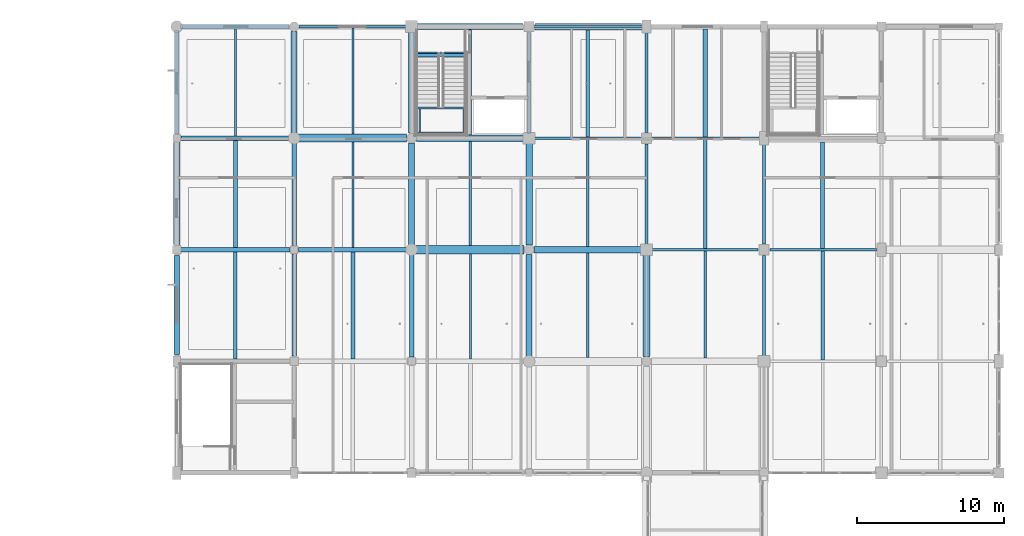
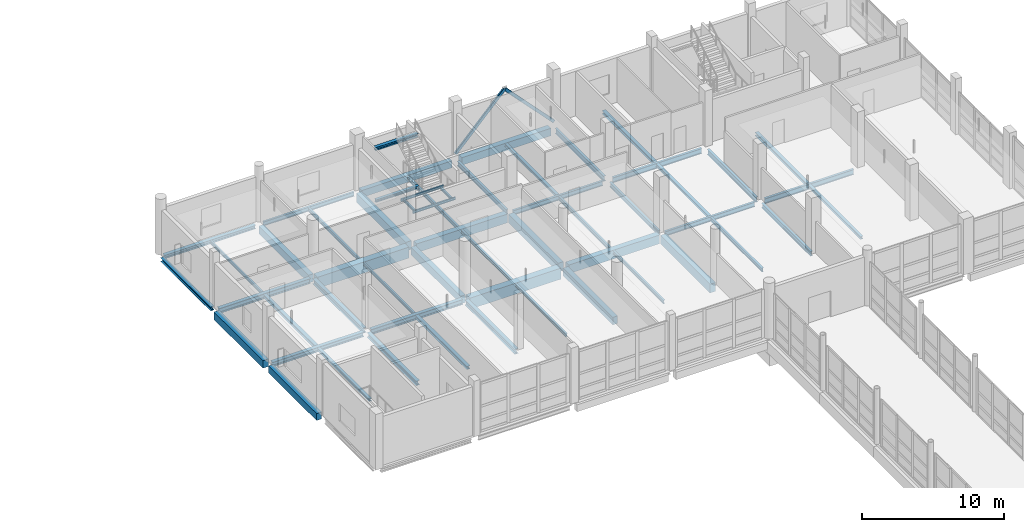
# One storey, part 62 of 147: 55 beams, 2 members.
"""IFC4 building model written with IfcOpenShell, lengths in metres."""

from ifc_helpers import new_model, si_unit, direction, frame, origin, origin_2d, place, context, subcontext, project, spatial, rectangle, hollow_rectangle, i_section, extrude, material, material_profile, profile_set, type_object, element, save


model = new_model("IFC4")

# Units and contexts
model_context = context("Model", 3, precision=1e-05, world=origin(), true_north=direction((0.0, 1.0)))
body_context = subcontext(model_context, "Body", "Model", "MODEL_VIEW")
ifc_project = project(units=[si_unit("LENGTHUNIT", "METRE"), si_unit("AREAUNIT", "SQUARE_METRE"), si_unit("VOLUMEUNIT", "CUBIC_METRE"), si_unit("PLANEANGLEUNIT", "RADIAN"), si_unit("MASSUNIT", "GRAM", prefix="KILO")], contexts=[model_context])

# Site, building, storey
site_placement = place(None, origin())
site = spatial("IfcSite", under=ifc_project, at=site_placement, CompositionType="ELEMENT")
building_placement = place(site_placement, origin())
building = spatial("IfcBuilding", under=site, at=building_placement, Name="Khelvaren Railside Concert Hall", CompositionType="ELEMENT")
storey_placement = place(building_placement, frame((0.0, 0.0, 5.39990234375)))
storey = spatial("IfcBuildingStorey", under=building, at=storey_placement, Name="L01", CompositionType="ELEMENT", Elevation=5.39990234375)

# Beams
ifc_material_1 = material(Name="Steel S355", Category="steel")
ifc_material_profile_1 = material_profile(ifc_material_1, i_section(OverallWidth=0.300048828125, OverallDepth=0.389892578125, WebThickness=0.010986328125, FlangeThickness=0.01904296875, FilletRadius=0.027099609375, at=origin_2d()), Name="HEA 400")
ifc_profile_set_1 = profile_set([ifc_material_profile_1], Name="Steel S355")
beam_type_1 = type_object("IfcBeamType", Name="BM23", PredefinedType="BEAM", material=ifc_profile_set_1)
beam_1_placement = place(storey_placement, frame((128.25, 98.800048828125, -0.494873046875), z_axis=(1.0, 0.0, 0.0), x_axis=(0.0, 1.0, 0.0)))
element("IfcBeam", 1, at=beam_1_placement, inside=storey, type_object=beam_type_1, Name="V5 L01 Beam X3.1", PredefinedType="BEAM", context=body_context, shape_type="SweptSolid", body=[
    extrude(i_section(OverallWidth=0.300048828125, OverallDepth=0.389892578125, WebThickness=0.010986328125, FlangeThickness=0.01904296875, FilletRadius=0.027099609375, at=origin_2d()), origin(), (0.0, 0.0, 1.0), 7.449951171875),
])
beam_2_placement = place(storey_placement, frame((136.0, 91.574951171875, -0.494873046875), z_axis=(0.0, 1.0, 0.0), x_axis=(-1.0, 0.0, 0.0)))
element("IfcBeam", 2, at=beam_2_placement, inside=storey, type_object=beam_type_1, Name="V5 L01 Beam Y2.2", PredefinedType="BEAM", context=body_context, shape_type="SweptSolid", body=[
    extrude(i_section(OverallWidth=0.300048828125, OverallDepth=0.389892578125, WebThickness=0.010986328125, FlangeThickness=0.01904296875, FilletRadius=0.027099609375, at=origin_2d()), origin(), (0.0, 0.0, 1.0), 6.925048828125),
])
ifc_material_profile_2 = material_profile(ifc_material_1, i_section(OverallWidth=0.179931640625, OverallDepth=0.39990234375, WebThickness=0.008544921875, FlangeThickness=0.013427734375, FilletRadius=0.02099609375, at=origin_2d()), Name="IPE 400")
ifc_profile_set_2 = profile_set([ifc_material_profile_2], Name="Steel S355")
beam_type_2 = type_object("IfcBeamType", Name="BM29", PredefinedType="BEAM", material=ifc_profile_set_2)
for number, where, z_axis, x_axis, name in (
    (3, (160.27294921875, 98.800048828125, -0.5), (1.0, 0.0, 0.0), (0.0, 1.0, 0.0), "V5 L01 Beam X3.5"),
    (4, (152.27294921875, 106.39990234375, -0.5), (1.0, 0.0, 0.0), (0.0, 1.0, 0.0), "V5 L01 Beam X4.4"),
):
    element("IfcBeam", number, at=place(storey_placement, frame(where, z_axis=z_axis, x_axis=x_axis)), inside=storey, type_object=beam_type_2, Name=name, PredefinedType="BEAM", context=body_context, shape_type="SweptSolid", body=[
        extrude(i_section(OverallWidth=0.179931640625, OverallDepth=0.39990234375, WebThickness=0.008544921875, FlangeThickness=0.013427734375, FilletRadius=0.02099609375, at=origin_2d()), origin(), (0.0, 0.0, 1.0), 7.3271484375),
    ])
for number, where, z_axis, x_axis, name in (
    (5, (152.0, 106.673095703125, -0.5), (0.0, 1.0, 0.0), (-1.0, 0.0, 0.0), "V5 L01 Beam Y4.4"),
    (6, (160.0, 99.072998046875, -0.5), (0.0, 1.0, 0.0), (-1.0, 0.0, 0.0), "V5 L01 Beam Y5.3"),
    (7, (168.0, 91.472900390625, -0.5), (0.0, 1.0, 0.0), (-1.0, 0.0, 0.0), "V5 L01 Beam Y6.2"),
):
    element("IfcBeam", number, at=place(storey_placement, frame(where, z_axis=z_axis, x_axis=x_axis)), inside=storey, type_object=beam_type_2, Name=name, PredefinedType="BEAM", context=body_context, shape_type="SweptSolid", body=[
        extrude(i_section(OverallWidth=0.179931640625, OverallDepth=0.39990234375, WebThickness=0.008544921875, FlangeThickness=0.013427734375, FilletRadius=0.02099609375, at=origin_2d()), origin(), (0.0, 0.0, 1.0), 6.927001953125),
    ])
ifc_material_2 = material(Name="Concrete C40/50", Category="concrete")
ifc_material_profile_3 = material_profile(ifc_material_2, rectangle(XDim=0.39990234375, YDim=0.64990234375, at=origin_2d()), Name="RCB 400x650")
ifc_profile_set_3 = profile_set([ifc_material_profile_3], Name="Concrete C40/50")
beam_type_3 = type_object("IfcBeamType", Name="BM33", PredefinedType="BEAM", material=ifc_profile_set_3)
beam_3_placement = place(storey_placement, frame((136.0, 106.64990234375, -0.625), z_axis=(0.0, 1.0, 0.0), x_axis=(-1.0, 0.0, 0.0)))
element("IfcBeam", 8, at=beam_3_placement, inside=storey, type_object=beam_type_3, Name="V5 L01 Beam Y2.4", PredefinedType="BEAM", context=body_context, shape_type="SweptSolid", body=[
    extrude(rectangle(XDim=0.39990234375, YDim=0.64990234375, at=origin_2d()), origin(), (0.0, 0.0, 1.0), 7.01416015625),
])
beam_4_placement = place(storey_placement, frame((144.0, 99.050048828125, -0.625), z_axis=(0.0, 1.0, 0.0), x_axis=(-1.0, 0.0, 0.0)))
element("IfcBeam", 9, at=beam_4_placement, inside=storey, type_object=beam_type_3, Name="V5 L01 Beam Y3.3", PredefinedType="BEAM", context=body_context, shape_type="SweptSolid", body=[
    extrude(rectangle(XDim=0.39990234375, YDim=0.64990234375, at=origin_2d()), origin(), (0.0, 0.0, 1.0), 7.013916015625),
])
beam_5_placement = place(storey_placement, frame((152.0, 91.449951171875, -0.625), z_axis=(0.0, 1.0, 0.0), x_axis=(-1.0, 0.0, 0.0)))
element("IfcBeam", 10, at=beam_5_placement, inside=storey, type_object=beam_type_3, Name="V5 L01 Beam Y4.2", PredefinedType="BEAM", context=body_context, shape_type="SweptSolid", body=[
    extrude(rectangle(XDim=0.39990234375, YDim=0.64990234375, at=origin_2d()), origin(), (0.0, 0.0, 1.0), 7.01416015625),
])
ifc_material_profile_4 = material_profile(ifc_material_1, i_section(OverallWidth=0.239990234375, OverallDepth=0.22998046875, WebThickness=0.007568359375, FlangeThickness=0.011962890625, FilletRadius=0.02099609375, at=origin_2d()), Name="HEA 240")
ifc_profile_set_4 = profile_set([ifc_material_profile_4], Name="Steel S355")
beam_type_4 = type_object("IfcBeamType", Name="BM42", PredefinedType="BEAM", material=ifc_profile_set_4)
beam_6_placement = place(storey_placement, frame((144.344970703125, 112.039306640625, -0.114990234375), z_axis=(1.0, 0.0, 0.0), x_axis=(0.0, 1.0, 0.0)))
element("IfcBeam", 11, at=beam_6_placement, inside=storey, type_object=beam_type_4, Name="ST-09 L01 Stair Foot Trimmer Beam", PredefinedType="BEAM", context=body_context, shape_type="SweptSolid", body=[
    extrude(i_section(OverallWidth=0.239990234375, OverallDepth=0.22998046875, WebThickness=0.007568359375, FlangeThickness=0.011962890625, FilletRadius=0.02099609375, at=origin_2d()), origin(), (0.0, 0.0, 1.0), 3.4951171875),
])
ifc_material_profile_5 = material_profile(ifc_material_2, rectangle(XDim=0.449951171875, YDim=0.75, at=origin_2d()), Name="RCB 450x750")
ifc_profile_set_5 = profile_set([ifc_material_profile_5], Name="Concrete C40/50")
beam_type_5 = type_object("IfcBeamType", Name="BM83", PredefinedType="BEAM", material=ifc_profile_set_5)
for number, where, z_axis, x_axis, name in (
    (12, (152.3359375, 98.800048828125, -0.6748046875), (1.0, 0.0, 0.0), (0.0, 1.0, 0.0), "V5 L01 Beam X3.4"),
    (13, (144.3359375, 106.39990234375, -0.6748046875), (1.0, 0.0, 0.0), (0.0, 1.0, 0.0), "V5 L01 Beam X4.3"),
):
    element("IfcBeam", number, at=place(storey_placement, frame(where, z_axis=z_axis, x_axis=x_axis)), inside=storey, type_object=beam_type_5, Name=name, PredefinedType="BEAM", context=body_context, shape_type="SweptSolid", body=[
        extrude(rectangle(XDim=0.449951171875, YDim=0.75, at=origin_2d()), origin(), (0.0, 0.0, 1.0), 7.39111328125),
    ])
for number, where, z_axis, x_axis, name in (
    (14, (144.0, 106.736083984375, -0.6748046875), (0.0, 1.0, 0.0), (-1.0, 0.0, 0.0), "V5 L01 Beam Y3.4"),
    (15, (152.0, 99.135986328125, -0.6748046875), (0.0, 1.0, 0.0), (-1.0, 0.0, 0.0), "V5 L01 Beam Y4.3"),
):
    element("IfcBeam", number, at=place(storey_placement, frame(where, z_axis=z_axis, x_axis=x_axis)), inside=storey, type_object=beam_type_5, Name=name, PredefinedType="BEAM", context=body_context, shape_type="SweptSolid", body=[
        extrude(rectangle(XDim=0.449951171875, YDim=0.75, at=origin_2d()), origin(), (0.0, 0.0, 1.0), 6.990966796875),
    ])
beam_7_placement = place(storey_placement, frame((160.0, 91.535888671875, -0.6748046875), z_axis=(0.0, 1.0, 0.0), x_axis=(-1.0, 0.0, 0.0)))
element("IfcBeam", 16, at=beam_7_placement, inside=storey, type_object=beam_type_5, Name="V5 L01 Beam Y5.2", PredefinedType="BEAM", context=body_context, shape_type="SweptSolid", body=[
    extrude(rectangle(XDim=0.449951171875, YDim=0.75, at=origin_2d()), origin(), (0.0, 0.0, 1.0), 6.9912109375),
])
ifc_material_profile_6 = material_profile(ifc_material_1, i_section(OverallWidth=0.110107421875, OverallDepth=0.219970703125, WebThickness=0.005859375, FlangeThickness=0.00927734375, FilletRadius=0.011962890625, at=origin_2d()), Name="IPE 220")
ifc_profile_set_6 = profile_set([ifc_material_profile_6], Name="Steel S355")
beam_type_6 = type_object("IfcBeamType", Name="BM87", PredefinedType="BEAM", material=ifc_profile_set_6)
for number, where, z_axis, x_axis, name in (
    (17, (144.344970703125, 108.455078125, 2.090087890625), (1.0, 0.0, 0.0), (0.0, 1.0, 0.0), "ST-09 L01 Half-Landing Front Beam"),
    (18, (144.344970703125, 106.760009765625, 2.090087890625), (1.0, 0.0, 0.0), (0.0, 1.0, 0.0), "ST-09 L01 Half-Landing Rear Beam"),
):
    element("IfcBeam", number, at=place(storey_placement, frame(where, z_axis=z_axis, x_axis=x_axis)), inside=storey, type_object=beam_type_6, Name=name, PredefinedType="BEAM", context=body_context, shape_type="SweptSolid", body=[
        extrude(i_section(OverallWidth=0.110107421875, OverallDepth=0.219970703125, WebThickness=0.005859375, FlangeThickness=0.00927734375, FilletRadius=0.011962890625, at=origin_2d()), origin(), (0.0, 0.0, 1.0), 3.4951171875),
    ])
for number, where, z_axis, x_axis, name in (
    (19, (144.550048828125, 106.81494140625, 2.090087890625), (0.0, 1.0, 0.0), (-1.0, 0.0, 0.0), "ST-09 L01 Half-Landing Side Tie W"),
    (20, (147.550048828125, 106.81494140625, 2.090087890625), (0.0, 1.0, 0.0), (-1.0, 0.0, 0.0), "ST-09 L01 Half-Landing Side Tie E"),
):
    element("IfcBeam", number, at=place(storey_placement, frame(where, z_axis=z_axis, x_axis=x_axis)), inside=storey, type_object=beam_type_6, Name=name, PredefinedType="BEAM", context=body_context, shape_type="SweptSolid", body=[
        extrude(i_section(OverallWidth=0.110107421875, OverallDepth=0.219970703125, WebThickness=0.005859375, FlangeThickness=0.00927734375, FilletRadius=0.011962890625, at=origin_2d()), origin(), (0.0, 0.0, 1.0), 1.5849609375),
    ])
ifc_material_profile_7 = material_profile(ifc_material_1, i_section(OverallWidth=0.300048828125, OverallDepth=0.43994140625, WebThickness=0.011474609375, FlangeThickness=0.02099609375, FilletRadius=0.027099609375, at=origin_2d()), Name="HEA 450")
ifc_profile_set_7 = profile_set([ifc_material_profile_7], Name="Steel S355")
beam_type_7 = type_object("IfcBeamType", Name="BM89", PredefinedType="BEAM", material=ifc_profile_set_7)
for number, where, z_axis, x_axis, name in (
    (21, (136.300048828125, 98.800048828125, -0.52001953125), (1.0, 0.0, 0.0), (0.0, 1.0, 0.0), "V5 L01 Beam X3.2"),
    (22, (128.300048828125, 106.39990234375, -0.52001953125), (1.0, 0.0, 0.0), (0.0, 1.0, 0.0), "V5 L01 Beam X4.1"),
):
    element("IfcBeam", number, at=place(storey_placement, frame(where, z_axis=z_axis, x_axis=x_axis)), inside=storey, type_object=beam_type_7, Name=name, PredefinedType="BEAM", context=body_context, shape_type="SweptSolid", body=[
        extrude(i_section(OverallWidth=0.300048828125, OverallDepth=0.43994140625, WebThickness=0.011474609375, FlangeThickness=0.02099609375, FilletRadius=0.027099609375, at=origin_2d()), origin(), (0.0, 0.0, 1.0), 7.449951171875),
    ])
beam_8_placement = place(storey_placement, frame((136.0, 99.10009765625, -0.52001953125), z_axis=(0.0, 1.0, 0.0), x_axis=(-1.0, 0.0, 0.0)))
element("IfcBeam", 23, at=beam_8_placement, inside=storey, type_object=beam_type_7, Name="V5 L01 Beam Y2.3", PredefinedType="BEAM", context=body_context, shape_type="SweptSolid", body=[
    extrude(i_section(OverallWidth=0.300048828125, OverallDepth=0.43994140625, WebThickness=0.011474609375, FlangeThickness=0.02099609375, FilletRadius=0.027099609375, at=origin_2d()), origin(), (0.0, 0.0, 1.0), 7.0498046875),
])
beam_9_placement = place(storey_placement, frame((144.0, 91.5, -0.52001953125), z_axis=(0.0, 1.0, 0.0), x_axis=(-1.0, 0.0, 0.0)))
element("IfcBeam", 24, at=beam_9_placement, inside=storey, type_object=beam_type_7, Name="V5 L01 Beam Y3.2", PredefinedType="BEAM", context=body_context, shape_type="SweptSolid", body=[
    extrude(i_section(OverallWidth=0.300048828125, OverallDepth=0.43994140625, WebThickness=0.011474609375, FlangeThickness=0.02099609375, FilletRadius=0.027099609375, at=origin_2d()), origin(), (0.0, 0.0, 1.0), 7.050048828125),
])
ifc_material_profile_8 = material_profile(ifc_material_1, i_section(OverallWidth=0.280029296875, OverallDepth=0.27001953125, WebThickness=0.008056640625, FlangeThickness=0.012939453125, FilletRadius=0.02392578125, at=origin_2d()), Name="HEA 280")
ifc_profile_set_8 = profile_set([ifc_material_profile_8], Name="Steel S355")
beam_type_8 = type_object("IfcBeamType", Name="BM93", PredefinedType="BEAM", material=ifc_profile_set_8)
beam_10_placement = place(storey_placement, frame((144.344970703125, 112.139892578125, 4.31787109375), z_axis=(1.0, 0.0, 0.0), x_axis=(0.0, 1.0, 0.0)))
element("IfcBeam", 25, at=beam_10_placement, inside=storey, type_object=beam_type_8, Name="ST-09 L01 Stair Top Arrival Trimmer Beam", PredefinedType="BEAM", context=body_context, shape_type="SweptSolid", body=[
    extrude(i_section(OverallWidth=0.280029296875, OverallDepth=0.27001953125, WebThickness=0.008056640625, FlangeThickness=0.012939453125, FilletRadius=0.02392578125, at=origin_2d()), origin(), (0.0, 0.0, 1.0), 3.4951171875),
])
ifc_material_profile_9 = material_profile(ifc_material_1, i_section(OverallWidth=0.18994140625, OverallDepth=0.449951171875, WebThickness=0.009521484375, FlangeThickness=0.0146484375, FilletRadius=0.02099609375, at=origin_2d()), Name="IPE 450")
ifc_profile_set_9 = profile_set([ifc_material_profile_9], Name="Steel S355")
beam_type_9 = type_object("IfcBeamType", Name="BM95", PredefinedType="BEAM", material=ifc_profile_set_9)
for number, where, z_axis, x_axis, name in (
    (26, (168.39990234375, 98.800048828125, -0.52490234375), (1.0, 0.0, 0.0), (0.0, 1.0, 0.0), "V5 L01 Beam X3.6"),
    (27, (160.39990234375, 106.39990234375, -0.52490234375), (1.0, 0.0, 0.0), (0.0, 1.0, 0.0), "V5 L01 Beam X4.5"),
):
    element("IfcBeam", number, at=place(storey_placement, frame(where, z_axis=z_axis, x_axis=x_axis)), inside=storey, type_object=beam_type_9, Name=name, PredefinedType="BEAM", context=body_context, shape_type="SweptSolid", body=[
        extrude(i_section(OverallWidth=0.18994140625, OverallDepth=0.449951171875, WebThickness=0.009521484375, FlangeThickness=0.0146484375, FilletRadius=0.02099609375, at=origin_2d()), origin(), (0.0, 0.0, 1.0), 7.25),
    ])
beam_11_placement = place(storey_placement, frame((160.0, 106.800048828125, -0.52490234375), z_axis=(0.0, 1.0, 0.0), x_axis=(-1.0, 0.0, 0.0)))
element("IfcBeam", 28, at=beam_11_placement, inside=storey, type_object=beam_type_9, Name="V5 L01 Beam Y5.4", PredefinedType="BEAM", context=body_context, shape_type="SweptSolid", body=[
    extrude(i_section(OverallWidth=0.18994140625, OverallDepth=0.449951171875, WebThickness=0.009521484375, FlangeThickness=0.0146484375, FilletRadius=0.02099609375, at=origin_2d()), origin(), (0.0, 0.0, 1.0), 6.849853515625),
])
beam_12_placement = place(storey_placement, frame((168.0, 99.199951171875, -0.52490234375), z_axis=(0.0, 1.0, 0.0), x_axis=(-1.0, 0.0, 0.0)))
element("IfcBeam", 29, at=beam_12_placement, inside=storey, type_object=beam_type_9, Name="V5 L01 Beam Y6.3", PredefinedType="BEAM", context=body_context, shape_type="SweptSolid", body=[
    extrude(i_section(OverallWidth=0.18994140625, OverallDepth=0.449951171875, WebThickness=0.009521484375, FlangeThickness=0.0146484375, FilletRadius=0.02099609375, at=origin_2d()), origin(), (0.0, 0.0, 1.0), 6.85009765625),
])

# Members
ifc_material_profile_10 = material_profile(ifc_material_1, hollow_rectangle(XDim=0.14990234375, YDim=0.25, WallThickness=0.012451171875, InnerFilletRadius=0.012451171875, OuterFilletRadius=0.01904296875, at=origin_2d()), Name="RHS 250x150x12.5")
ifc_profile_set_10 = profile_set([ifc_material_profile_10], Name="Steel S355")
member_type = type_object("IfcMemberType", Name="BR52", PredefinedType="BRACE", material=ifc_profile_set_10)
for number, where, z_axis, x_axis, name in (
    (30, (152.0, 114.0, 0.050048828125), (0.688798075334, 0.0, 0.724953247745), (0.0, 1.0, 0.0), "V5 L01 Seismic Chevron Brace 59"),
    (31, (160.0, 114.0, 0.050048828125), (-0.688798075334, 0.0, 0.724953247745), (0.0, -1.0, 0.0), "V5 L01 Seismic Chevron Brace 60"),
):
    element("IfcMember", number, at=place(storey_placement, frame(where, z_axis=z_axis, x_axis=x_axis)), inside=storey, type_object=member_type, Name=name, PredefinedType="BRACE", context=body_context, shape_type="SweptSolid", body=[
        extrude(hollow_rectangle(XDim=0.14990234375, YDim=0.25, WallThickness=0.012451171875, InnerFilletRadius=0.012451171875, OuterFilletRadius=0.01904296875, at=origin_2d()), origin(), (0.0, 0.0, 1.0), 5.80712890625),
    ])

# Beams
ifc_material_profile_11 = material_profile(ifc_material_2, rectangle(XDim=0.550048828125, YDim=0.949951171875, at=origin_2d()), Name="RCB 550x950")
ifc_profile_set_11 = profile_set([ifc_material_profile_11], Name="Concrete C40/50")
beam_type_10 = type_object("IfcBeamType", Name="GR57", PredefinedType="T_BEAM", material=ifc_profile_set_11)
for number, where, z_axis, x_axis, name in (
    (32, (144.25, 98.800048828125, -0.77490234375), (1.0, 0.0, 0.0), (0.0, 1.0, 0.0), "V5 L01 T_Beam X3.3"),
    (33, (136.25, 106.39990234375, -0.77490234375), (1.0, 0.0, 0.0), (0.0, 1.0, 0.0), "V5 L01 T_Beam X4.2"),
):
    element("IfcBeam", number, at=place(storey_placement, frame(where, z_axis=z_axis, x_axis=x_axis)), inside=storey, type_object=beam_type_10, Name=name, PredefinedType="T_BEAM", context=body_context, shape_type="SweptSolid", body=[
        extrude(rectangle(XDim=0.550048828125, YDim=0.949951171875, at=origin_2d()), origin(), (0.0, 0.0, 1.0), 7.4140625),
    ])
ifc_material_profile_12 = material_profile(ifc_material_1, i_section(OverallWidth=0.14990234375, OverallDepth=0.300048828125, WebThickness=0.007080078125, FlangeThickness=0.0107421875, FilletRadius=0.014892578125, at=origin_2d()), Name="IPE 300")
ifc_profile_set_12 = profile_set([ifc_material_profile_12], Name="Steel S355")
beam_type_11 = type_object("IfcBeamType", Name="JS26", PredefinedType="JOIST", material=ifc_profile_set_12)
beam_13_placement = place(storey_placement, frame((140.0, 106.675048828125, -0.449951171875), z_axis=(0.0, 1.0, 0.0), x_axis=(-1.0, 0.0, 0.0)))
element("IfcBeam", 34, at=beam_13_placement, inside=storey, type_object=beam_type_11, Name="V5 L01 Secondary Joist 2.4", PredefinedType="JOIST", context=body_context, shape_type="SweptSolid", body=[
    extrude(i_section(OverallWidth=0.14990234375, OverallDepth=0.300048828125, WebThickness=0.007080078125, FlangeThickness=0.0107421875, FilletRadius=0.014892578125, at=origin_2d()), origin(), (0.0, 0.0, 1.0), 7.239990234375),
])
beam_14_placement = place(storey_placement, frame((148.0, 99.074951171875, -0.449951171875), z_axis=(0.0, 1.0, 0.0), x_axis=(-1.0, 0.0, 0.0)))
element("IfcBeam", 35, at=beam_14_placement, inside=storey, type_object=beam_type_11, Name="V5 L01 Secondary Joist 3.3", PredefinedType="JOIST", context=body_context, shape_type="SweptSolid", body=[
    extrude(i_section(OverallWidth=0.14990234375, OverallDepth=0.300048828125, WebThickness=0.007080078125, FlangeThickness=0.0107421875, FilletRadius=0.014892578125, at=origin_2d()), origin(), (0.0, 0.0, 1.0), 7.10009765625),
])
beam_15_placement = place(storey_placement, frame((156.0, 91.47509765625, -0.449951171875), z_axis=(0.0, 1.0, 0.0), x_axis=(-1.0, 0.0, 0.0)))
element("IfcBeam", 36, at=beam_15_placement, inside=storey, type_object=beam_type_11, Name="V5 L01 Secondary Joist 4.2", PredefinedType="JOIST", context=body_context, shape_type="SweptSolid", body=[
    extrude(i_section(OverallWidth=0.14990234375, OverallDepth=0.300048828125, WebThickness=0.007080078125, FlangeThickness=0.0107421875, FilletRadius=0.014892578125, at=origin_2d()), origin(), (0.0, 0.0, 1.0), 7.099853515625),
])
ifc_material_profile_13 = material_profile(ifc_material_1, i_section(OverallWidth=0.280029296875, OverallDepth=0.27001953125, WebThickness=0.008056640625, FlangeThickness=0.012939453125, FilletRadius=0.02392578125, at=origin_2d()), Name="HEA 280")
ifc_profile_set_13 = profile_set([ifc_material_profile_13], Name="Steel S355")
beam_type_12 = type_object("IfcBeamType", Name="JS46", PredefinedType="JOIST", material=ifc_profile_set_13)
beam_16_placement = place(storey_placement, frame((132.0, 98.949951171875, -0.434814453125), z_axis=(0.0, 1.0, 0.0), x_axis=(-1.0, 0.0, 0.0)))
element("IfcBeam", 37, at=beam_16_placement, inside=storey, type_object=beam_type_12, Name="V5 L01 Secondary Joist 1.3", PredefinedType="JOIST", context=body_context, shape_type="SweptSolid", body=[
    extrude(i_section(OverallWidth=0.280029296875, OverallDepth=0.27001953125, WebThickness=0.008056640625, FlangeThickness=0.012939453125, FilletRadius=0.02392578125, at=origin_2d()), origin(), (0.0, 0.0, 1.0), 7.300048828125),
])
beam_17_placement = place(storey_placement, frame((140.0, 91.35009765625, -0.434814453125), z_axis=(0.0, 1.0, 0.0), x_axis=(-1.0, 0.0, 0.0)))
element("IfcBeam", 38, at=beam_17_placement, inside=storey, type_object=beam_type_12, Name="V5 L01 Secondary Joist 2.2", PredefinedType="JOIST", context=body_context, shape_type="SweptSolid", body=[
    extrude(i_section(OverallWidth=0.280029296875, OverallDepth=0.27001953125, WebThickness=0.008056640625, FlangeThickness=0.012939453125, FilletRadius=0.02392578125, at=origin_2d()), origin(), (0.0, 0.0, 1.0), 7.2998046875),
])
beam_18_placement = place(storey_placement, frame((164.0, 106.4951171875, -0.434814453125), z_axis=(0.0, 1.0, 0.0), x_axis=(-1.0, 0.0, 0.0)))
element("IfcBeam", 39, at=beam_18_placement, inside=storey, type_object=beam_type_12, Name="V5 L01 Secondary Joist 5.4", PredefinedType="JOIST", context=body_context, shape_type="SweptSolid", body=[
    extrude(i_section(OverallWidth=0.280029296875, OverallDepth=0.27001953125, WebThickness=0.008056640625, FlangeThickness=0.012939453125, FilletRadius=0.02392578125, at=origin_2d()), origin(), (0.0, 0.0, 1.0), 7.35498046875),
])
beam_19_placement = place(storey_placement, frame((172.0, 98.89501953125, -0.434814453125), z_axis=(0.0, 1.0, 0.0), x_axis=(-1.0, 0.0, 0.0)))
element("IfcBeam", 40, at=beam_19_placement, inside=storey, type_object=beam_type_12, Name="V5 L01 Secondary Joist 6.3", PredefinedType="JOIST", context=body_context, shape_type="SweptSolid", body=[
    extrude(i_section(OverallWidth=0.280029296875, OverallDepth=0.27001953125, WebThickness=0.008056640625, FlangeThickness=0.012939453125, FilletRadius=0.02392578125, at=origin_2d()), origin(), (0.0, 0.0, 1.0), 7.2548828125),
])
ifc_material_profile_14 = material_profile(ifc_material_1, i_section(OverallWidth=0.159912109375, OverallDepth=0.330078125, WebThickness=0.007568359375, FlangeThickness=0.011474609375, FilletRadius=0.01806640625, at=origin_2d()), Name="IPE 330")
ifc_profile_set_14 = profile_set([ifc_material_profile_14], Name="Steel S355")
beam_type_13 = type_object("IfcBeamType", Name="JS65", PredefinedType="JOIST", material=ifc_profile_set_14)
beam_20_placement = place(storey_placement, frame((148.0, 106.625, -0.46484375), z_axis=(0.0, 1.0, 0.0), x_axis=(-1.0, 0.0, 0.0)))
element("IfcBeam", 41, at=beam_20_placement, inside=storey, type_object=beam_type_13, Name="V5 L01 Secondary Joist 3.4", PredefinedType="JOIST", context=body_context, shape_type="SweptSolid", body=[
    extrude(i_section(OverallWidth=0.159912109375, OverallDepth=0.330078125, WebThickness=0.007568359375, FlangeThickness=0.011474609375, FilletRadius=0.01806640625, at=origin_2d()), origin(), (0.0, 0.0, 1.0), 7.175048828125),
])
beam_21_placement = place(storey_placement, frame((156.0, 99.02490234375, -0.46484375), z_axis=(0.0, 1.0, 0.0), x_axis=(-1.0, 0.0, 0.0)))
element("IfcBeam", 42, at=beam_21_placement, inside=storey, type_object=beam_type_13, Name="V5 L01 Secondary Joist 4.3", PredefinedType="JOIST", context=body_context, shape_type="SweptSolid", body=[
    extrude(i_section(OverallWidth=0.159912109375, OverallDepth=0.330078125, WebThickness=0.007568359375, FlangeThickness=0.011474609375, FilletRadius=0.01806640625, at=origin_2d()), origin(), (0.0, 0.0, 1.0), 7.28515625),
])
beam_22_placement = place(storey_placement, frame((164.0, 91.425048828125, -0.46484375), z_axis=(0.0, 1.0, 0.0), x_axis=(-1.0, 0.0, 0.0)))
element("IfcBeam", 43, at=beam_22_placement, inside=storey, type_object=beam_type_13, Name="V5 L01 Secondary Joist 5.2", PredefinedType="JOIST", context=body_context, shape_type="SweptSolid", body=[
    extrude(i_section(OverallWidth=0.159912109375, OverallDepth=0.330078125, WebThickness=0.007568359375, FlangeThickness=0.011474609375, FilletRadius=0.01806640625, at=origin_2d()), origin(), (0.0, 0.0, 1.0), 7.284912109375),
])
ifc_material_profile_15 = material_profile(ifc_material_1, i_section(OverallWidth=0.239990234375, OverallDepth=0.22998046875, WebThickness=0.007568359375, FlangeThickness=0.011962890625, FilletRadius=0.02099609375, at=origin_2d()), Name="HEA 240")
ifc_profile_set_15 = profile_set([ifc_material_profile_15], Name="Steel S355")
beam_type_14 = type_object("IfcBeamType", Name="JS76", PredefinedType="JOIST", material=ifc_profile_set_15)
beam_23_placement = place(storey_placement, frame((132.0, 91.35009765625, -0.414794921875), z_axis=(0.0, 1.0, 0.0), x_axis=(-1.0, 0.0, 0.0)))
element("IfcBeam", 44, at=beam_23_placement, inside=storey, type_object=beam_type_14, Name="V5 L01 Secondary Joist 1.2", PredefinedType="JOIST", context=body_context, shape_type="SweptSolid", body=[
    extrude(i_section(OverallWidth=0.239990234375, OverallDepth=0.22998046875, WebThickness=0.007568359375, FlangeThickness=0.011962890625, FilletRadius=0.02099609375, at=origin_2d()), origin(), (0.0, 0.0, 1.0), 7.2998046875),
])
beam_24_placement = place(storey_placement, frame((156.0, 106.489990234375, -0.414794921875), z_axis=(0.0, 1.0, 0.0), x_axis=(-1.0, 0.0, 0.0)))
element("IfcBeam", 45, at=beam_24_placement, inside=storey, type_object=beam_type_14, Name="V5 L01 Secondary Joist 4.4", PredefinedType="JOIST", context=body_context, shape_type="SweptSolid", body=[
    extrude(i_section(OverallWidth=0.239990234375, OverallDepth=0.22998046875, WebThickness=0.007568359375, FlangeThickness=0.011962890625, FilletRadius=0.02099609375, at=origin_2d()), origin(), (0.0, 0.0, 1.0), 7.284912109375),
])
for number, where, z_axis, x_axis, name in (
    (46, (164.0, 98.889892578125, -0.414794921875), (0.0, 1.0, 0.0), (-1.0, 0.0, 0.0), "V5 L01 Secondary Joist 5.3"),
    (47, (172.0, 91.2900390625, -0.414794921875), (0.0, 1.0, 0.0), (-1.0, 0.0, 0.0), "V5 L01 Secondary Joist 6.2"),
):
    element("IfcBeam", number, at=place(storey_placement, frame(where, z_axis=z_axis, x_axis=x_axis)), inside=storey, type_object=beam_type_14, Name=name, PredefinedType="JOIST", context=body_context, shape_type="SweptSolid", body=[
        extrude(i_section(OverallWidth=0.239990234375, OverallDepth=0.22998046875, WebThickness=0.007568359375, FlangeThickness=0.011962890625, FilletRadius=0.02099609375, at=origin_2d()), origin(), (0.0, 0.0, 1.0), 7.4150390625),
    ])
ifc_material_profile_16 = material_profile(ifc_material_1, i_section(OverallWidth=0.135009765625, OverallDepth=0.27001953125, WebThickness=0.006591796875, FlangeThickness=0.01025390625, FilletRadius=0.014892578125, at=origin_2d()), Name="IPE 270")
ifc_profile_set_16 = profile_set([ifc_material_profile_16], Name="Steel S355")
beam_type_15 = type_object("IfcBeamType", Name="JS78", PredefinedType="JOIST", material=ifc_profile_set_16)
beam_25_placement = place(storey_placement, frame((132.0, 106.550048828125, -0.434814453125), z_axis=(0.0, 1.0, 0.0), x_axis=(-1.0, 0.0, 0.0)))
element("IfcBeam", 48, at=beam_25_placement, inside=storey, type_object=beam_type_15, Name="V5 L01 Secondary Joist 1.4", PredefinedType="JOIST", context=body_context, shape_type="SweptSolid", body=[
    extrude(i_section(OverallWidth=0.135009765625, OverallDepth=0.27001953125, WebThickness=0.006591796875, FlangeThickness=0.01025390625, FilletRadius=0.014892578125, at=origin_2d()), origin(), (0.0, 0.0, 1.0), 7.300048828125),
])
beam_26_placement = place(storey_placement, frame((140.0, 98.949951171875, -0.434814453125), z_axis=(0.0, 1.0, 0.0), x_axis=(-1.0, 0.0, 0.0)))
element("IfcBeam", 49, at=beam_26_placement, inside=storey, type_object=beam_type_15, Name="V5 L01 Secondary Joist 2.3", PredefinedType="JOIST", context=body_context, shape_type="SweptSolid", body=[
    extrude(i_section(OverallWidth=0.135009765625, OverallDepth=0.27001953125, WebThickness=0.006591796875, FlangeThickness=0.01025390625, FilletRadius=0.014892578125, at=origin_2d()), origin(), (0.0, 0.0, 1.0), 7.175048828125),
])
beam_27_placement = place(storey_placement, frame((148.0, 91.35009765625, -0.434814453125), z_axis=(0.0, 1.0, 0.0), x_axis=(-1.0, 0.0, 0.0)))
element("IfcBeam", 50, at=beam_27_placement, inside=storey, type_object=beam_type_15, Name="V5 L01 Secondary Joist 3.2", PredefinedType="JOIST", context=body_context, shape_type="SweptSolid", body=[
    extrude(i_section(OverallWidth=0.135009765625, OverallDepth=0.27001953125, WebThickness=0.006591796875, FlangeThickness=0.01025390625, FilletRadius=0.014892578125, at=origin_2d()), origin(), (0.0, 0.0, 1.0), 7.1748046875),
])
ifc_material_profile_17 = material_profile(ifc_material_2, rectangle(XDim=0.449951171875, YDim=0.64990234375, at=origin_2d()), Name="RCB 450x650")
ifc_profile_set_17 = profile_set([ifc_material_profile_17], Name="Concrete C40/50")
beam_type_16 = type_object("IfcBeamType", Name="SP34", PredefinedType="SPANDREL", material=ifc_profile_set_17)
beam_28_placement = place(storey_placement, frame((152.39990234375, 114.0, -0.625), z_axis=(1.0, 0.0, 0.0), x_axis=(0.0, 1.0, 0.0)))
element("IfcBeam", 51, at=beam_28_placement, inside=storey, type_object=beam_type_16, Name="V5 L01 Spandrel X5.4", PredefinedType="SPANDREL", context=body_context, shape_type="SweptSolid", body=[
    extrude(rectangle(XDim=0.449951171875, YDim=0.64990234375, at=origin_2d()), origin(), (0.0, 0.0, 1.0), 7.25),
])
beam_29_placement = place(storey_placement, frame((128.0, 99.175048828125, -0.625), z_axis=(0.0, 1.0, 0.0), x_axis=(-1.0, 0.0, 0.0)))
element("IfcBeam", 52, at=beam_29_placement, inside=storey, type_object=beam_type_16, Name="V5 L01 Spandrel Y1.3", PredefinedType="SPANDREL", context=body_context, shape_type="SweptSolid", body=[
    extrude(rectangle(XDim=0.449951171875, YDim=0.64990234375, at=origin_2d()), origin(), (0.0, 0.0, 1.0), 6.925048828125),
])
ifc_material_profile_18 = material_profile(ifc_material_1, i_section(OverallWidth=0.300048828125, OverallDepth=0.31005859375, WebThickness=0.009033203125, FlangeThickness=0.015380859375, FilletRadius=0.027099609375, at=origin_2d()), Name="HEA 320")
ifc_profile_set_18 = profile_set([ifc_material_profile_18], Name="Steel S355")
beam_type_17 = type_object("IfcBeamType", Name="SP66", PredefinedType="SPANDREL", material=ifc_profile_set_18)
beam_30_placement = place(storey_placement, frame((128.25, 114.0, -0.454833984375), z_axis=(1.0, 0.0, 0.0), x_axis=(0.0, 1.0, 0.0)))
element("IfcBeam", 53, at=beam_30_placement, inside=storey, type_object=beam_type_17, Name="V5 L01 Spandrel X5.1", PredefinedType="SPANDREL", context=body_context, shape_type="SweptSolid", body=[
    extrude(i_section(OverallWidth=0.300048828125, OverallDepth=0.31005859375, WebThickness=0.009033203125, FlangeThickness=0.015380859375, FilletRadius=0.027099609375, at=origin_2d()), origin(), (0.0, 0.0, 1.0), 7.4140625),
])
beam_31_placement = place(storey_placement, frame((128.0, 106.699951171875, -0.454833984375), z_axis=(0.0, 1.0, 0.0), x_axis=(-1.0, 0.0, 0.0)))
element("IfcBeam", 54, at=beam_31_placement, inside=storey, type_object=beam_type_17, Name="V5 L01 Spandrel Y1.4", PredefinedType="SPANDREL", context=body_context, shape_type="SweptSolid", body=[
    extrude(i_section(OverallWidth=0.300048828125, OverallDepth=0.31005859375, WebThickness=0.009033203125, FlangeThickness=0.015380859375, FilletRadius=0.027099609375, at=origin_2d()), origin(), (0.0, 0.0, 1.0), 7.050048828125),
])
ifc_material_profile_19 = material_profile(ifc_material_1, i_section(OverallWidth=0.169921875, OverallDepth=0.360107421875, WebThickness=0.008056640625, FlangeThickness=0.0126953125, FilletRadius=0.01806640625, at=origin_2d()), Name="IPE 360")
ifc_profile_set_19 = profile_set([ifc_material_profile_19], Name="Steel S355")
beam_type_18 = type_object("IfcBeamType", Name="SP74", PredefinedType="SPANDREL", material=ifc_profile_set_19)
beam_32_placement = place(storey_placement, frame((136.3359375, 114.0, -0.47998046875), z_axis=(1.0, 0.0, 0.0), x_axis=(0.0, 1.0, 0.0)))
element("IfcBeam", 55, at=beam_32_placement, inside=storey, type_object=beam_type_18, Name="V5 L01 Spandrel X5.2", PredefinedType="SPANDREL", context=body_context, shape_type="SweptSolid", body=[
    extrude(i_section(OverallWidth=0.169921875, OverallDepth=0.360107421875, WebThickness=0.008056640625, FlangeThickness=0.0126953125, FilletRadius=0.01806640625, at=origin_2d()), origin(), (0.0, 0.0, 1.0), 7.39111328125),
])
ifc_material_profile_20 = material_profile(ifc_material_2, rectangle(XDim=0.39990234375, YDim=0.60009765625, at=origin_2d()), Name="RCB 400x600")
ifc_profile_set_20 = profile_set([ifc_material_profile_20], Name="Concrete C40/50")
beam_type_19 = type_object("IfcBeamType", Name="SP75", PredefinedType="SPANDREL", material=ifc_profile_set_20)
beam_33_placement = place(storey_placement, frame((144.27294921875, 114.0, -0.599853515625), z_axis=(1.0, 0.0, 0.0), x_axis=(0.0, 1.0, 0.0)))
element("IfcBeam", 56, at=beam_33_placement, inside=storey, type_object=beam_type_19, Name="V5 L01 Spandrel X5.3", PredefinedType="SPANDREL", context=body_context, shape_type="SweptSolid", body=[
    extrude(rectangle(XDim=0.39990234375, YDim=0.60009765625, at=origin_2d()), origin(), (0.0, 0.0, 1.0), 7.3271484375),
])
beam_34_placement = place(storey_placement, frame((128.0, 91.64990234375, -0.599853515625), z_axis=(0.0, 1.0, 0.0), x_axis=(-1.0, 0.0, 0.0)))
element("IfcBeam", 57, at=beam_34_placement, inside=storey, type_object=beam_type_19, Name="V5 L01 Spandrel Y1.2", PredefinedType="SPANDREL", context=body_context, shape_type="SweptSolid", body=[
    extrude(rectangle(XDim=0.39990234375, YDim=0.60009765625, at=origin_2d()), origin(), (0.0, 0.0, 1.0), 6.775146484375),
])

save(model, "model.ifc")
